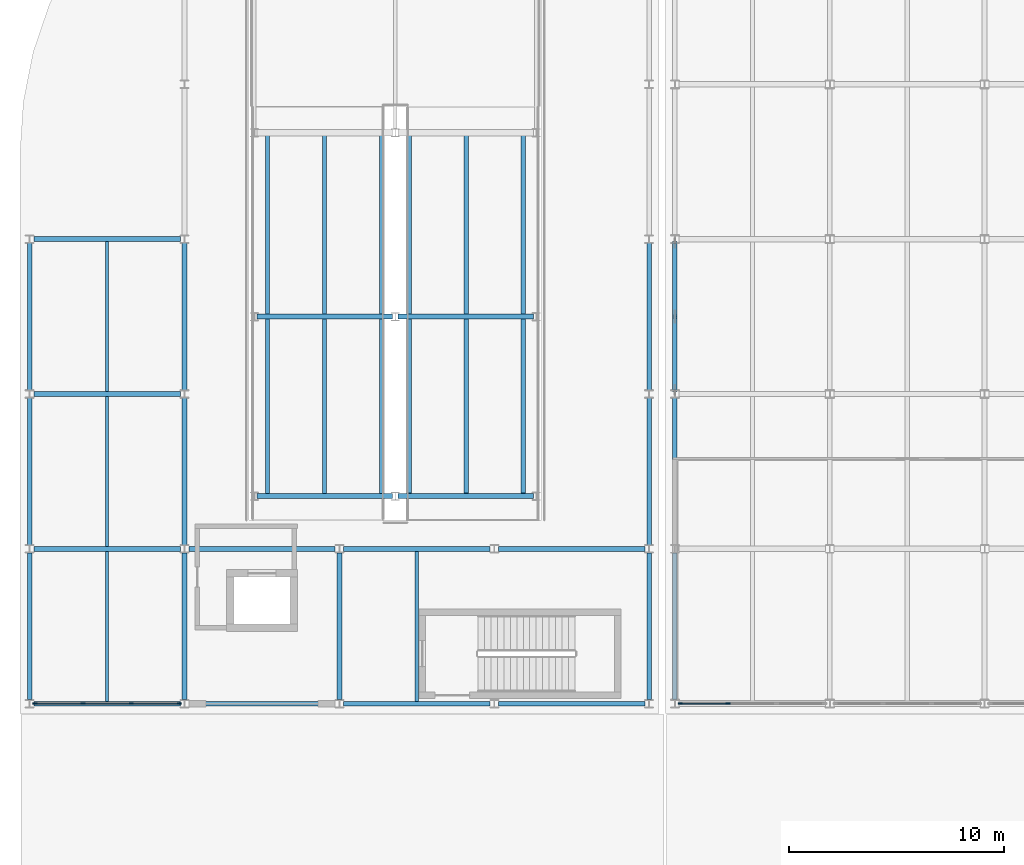
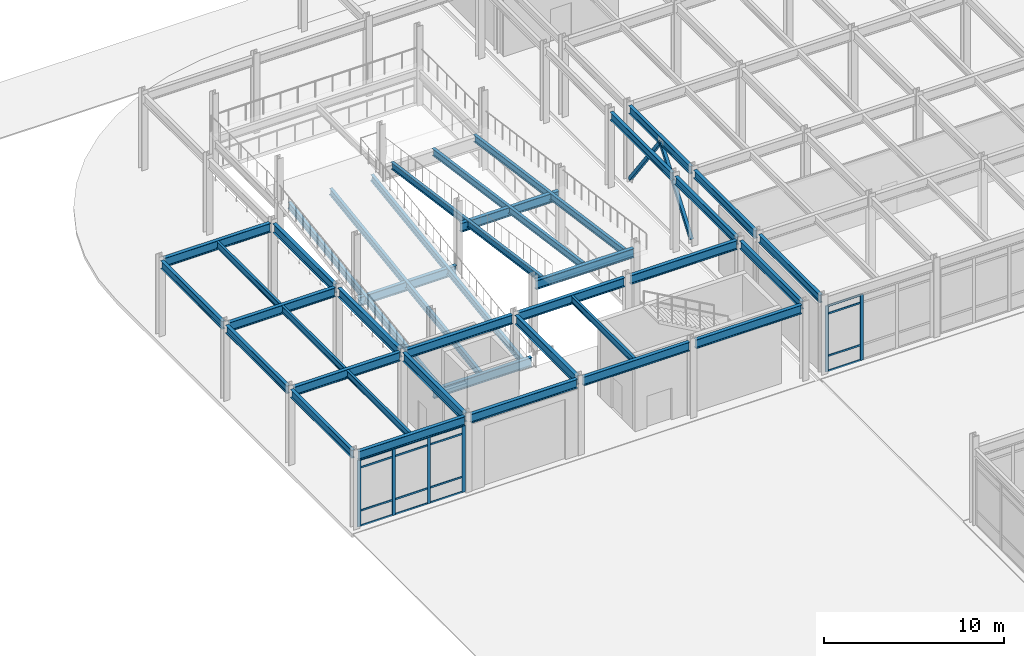
# One storey, part 28 of 104: 37 beams, 24 members, 2 elements without a shape of their own.
"""IFC4 building model written with IfcOpenShell, lengths in metres."""

from ifc_helpers import new_model, si_unit, direction, frame, origin, origin_2d, place, context, subcontext, project, spatial, rectangle, hollow_rectangle, i_section, extrude, material, material_profile, profile_set, type_object, element, aggregate, save


model = new_model("IFC4")

# Units and contexts
model_context = context("Model", 3, precision=1e-05, world=origin(), true_north=direction((0.0, 1.0)))
body_context = subcontext(model_context, "Body", "Model", "MODEL_VIEW")
ifc_project = project(units=[si_unit("LENGTHUNIT", "METRE"), si_unit("AREAUNIT", "SQUARE_METRE"), si_unit("VOLUMEUNIT", "CUBIC_METRE"), si_unit("PLANEANGLEUNIT", "RADIAN"), si_unit("MASSUNIT", "GRAM", prefix="KILO")], contexts=[model_context])

# Site, building, storey
site_placement = place(None, origin())
site = spatial("IfcSite", under=ifc_project, at=site_placement, CompositionType="ELEMENT")
building_placement = place(site_placement, origin())
building = spatial("IfcBuilding", under=site, at=building_placement, Name="Vaelcorin Mobility Hub", CompositionType="ELEMENT")
storey_placement = place(building_placement, origin())
storey = spatial("IfcBuildingStorey", under=building, at=storey_placement, Name="L00", CompositionType="ELEMENT", Elevation=0.0)

# Beams
ifc_material_1 = material(Name="Steel ASTM A992 Grade 50", Category="steel")
ifc_material_profile_1 = material_profile(ifc_material_1, i_section(OverallWidth=0.152099609375, OverallDepth=0.455078125, WebThickness=0.008056640625, FlangeThickness=0.01318359375, FilletRadius=0.012939453125, at=origin_2d()), Name="W18X40")
ifc_profile_set_1 = profile_set([ifc_material_profile_1], Name="Steel ASTM A992 Grade 50")
beam_type_1 = type_object("IfcBeamType", Name="BM-W18X40", PredefinedType="JOIST", material=ifc_profile_set_1)
for number, where, z_axis, x_axis, name in (
    (1, (9.60009765625, 76.912109375, 4.922119140625), (0.0, 1.0, 0.0), (-1.0, 0.0, 0.0), "L00 Beam V2W-L00-J-01-01-1"),
    (2, (9.60009765625, 84.112060546875, 4.922119140625), (0.0, 1.0, 0.0), (-1.0, 0.0, 0.0), "L00 Beam V2W-L00-J-01-02-1"),
):
    element("IfcBeam", number, at=place(storey_placement, frame(where, z_axis=z_axis, x_axis=x_axis)), inside=storey, type_object=beam_type_1, Name=name, PredefinedType="JOIST", context=body_context, shape_type="SweptSolid", body=[
        extrude(i_section(OverallWidth=0.152099609375, OverallDepth=0.455078125, WebThickness=0.008056640625, FlangeThickness=0.01318359375, FilletRadius=0.012939453125, at=origin_2d()), origin(), (0.0, 0.0, 1.0), 6.975830078125),
    ])
beam_1_placement = place(storey_placement, frame((9.60009765625, 91.31201171875, 4.922119140625), z_axis=(0.0, 1.0, 0.0), x_axis=(-1.0, 0.0, 0.0)))
element("IfcBeam", 3, at=beam_1_placement, inside=storey, type_object=beam_type_1, Name="L00 Beam V2W-L00-J-01-03-1", PredefinedType="JOIST", context=body_context, shape_type="SweptSolid", body=[
    extrude(i_section(OverallWidth=0.152099609375, OverallDepth=0.455078125, WebThickness=0.008056640625, FlangeThickness=0.01318359375, FilletRadius=0.012939453125, at=origin_2d()), origin(), (0.0, 0.0, 1.0), 6.97607421875),
])
beam_2_placement = place(storey_placement, frame((24.0, 76.912109375, 4.922119140625), z_axis=(0.0, 1.0, 0.0), x_axis=(-1.0, 0.0, 0.0)))
element("IfcBeam", 4, at=beam_2_placement, inside=storey, type_object=beam_type_1, Name="L00 Beam V2W-L00-J-03-01-1", PredefinedType="JOIST", context=body_context, shape_type="SweptSolid", body=[
    extrude(i_section(OverallWidth=0.152099609375, OverallDepth=0.455078125, WebThickness=0.008056640625, FlangeThickness=0.01318359375, FilletRadius=0.012939453125, at=origin_2d()), origin(), (0.0, 0.0, 1.0), 6.975830078125),
])
ifc_material_profile_2 = material_profile(ifc_material_1, i_section(OverallWidth=0.19091796875, OverallDepth=0.4599609375, WebThickness=0.010009765625, FlangeThickness=0.01611328125, FilletRadius=0.012939453125, at=origin_2d()), Name="W18X55")
ifc_profile_set_2 = profile_set([ifc_material_profile_2], Name="Steel ASTM A992 Grade 50")
beam_type_2 = type_object("IfcBeamType", Name="BM-W18X55", PredefinedType="JOIST", material=ifc_profile_set_2)
for number, where, z_axis, x_axis, name in (
    (5, (17.050048828125, 86.56005859375, -0.345947265625), (0.0, 0.990237863505, 0.139387853417), (-1.0, 0.0, 0.0), "Vehicle Ramp VR-1 L00 Flight 1 Stringer 1"),
    (6, (19.699951171875, 86.56005859375, -0.345947265625), (0.0, 0.990237863505, 0.139387853417), (-1.0, 0.0, 0.0), "Vehicle Ramp VR-1 L00 Flight 1 Stringer 2"),
    (7, (22.35009765625, 86.56005859375, -0.345947265625), (0.0, 0.990237863505, 0.139387853417), (-1.0, 0.0, 0.0), "Vehicle Ramp VR-1 L00 Flight 1 Stringer 3"),
    (8, (23.64990234375, 103.239990234375, 2.367919921875), (0.0, -0.990235862856, 0.139402065674), (1.0, 0.0, 0.0), "Vehicle Ramp VR-1 L00 Flight 2 Stringer 1"),
    (9, (26.300048828125, 103.239990234375, 2.367919921875), (0.0, -0.990235862856, 0.139402065674), (1.0, 0.0, 0.0), "Vehicle Ramp VR-1 L00 Flight 2 Stringer 2"),
    (10, (28.949951171875, 103.239990234375, 2.367919921875), (0.0, -0.990235862856, 0.139402065674), (1.0, 0.0, 0.0), "Vehicle Ramp VR-1 L00 Flight 2 Stringer 3"),
):
    element("IfcBeam", number, at=place(storey_placement, frame(where, z_axis=z_axis, x_axis=x_axis)), inside=storey, type_object=beam_type_2, Name=name, PredefinedType="JOIST", context=body_context, shape_type="SweptSolid", body=[
        extrude(i_section(OverallWidth=0.19091796875, OverallDepth=0.4599609375, WebThickness=0.010009765625, FlangeThickness=0.01611328125, FilletRadius=0.012939453125, at=origin_2d()), origin(), (0.0, 0.0, 1.0), 16.844482421875),
    ])
ifc_material_profile_3 = material_profile(ifc_material_1, i_section(OverallWidth=0.2099609375, OverallDepth=0.535888671875, WebThickness=0.010986328125, FlangeThickness=0.017333984375, FilletRadius=0.013916015625, at=origin_2d()), Name="W21X68")
ifc_profile_set_3 = profile_set([ifc_material_profile_3], Name="Steel ASTM A992 Grade 50")
beam_type_3 = type_object("IfcBeamType", Name="BM-W21X68", PredefinedType="SPANDREL", material=ifc_profile_set_3)
for number, where, z_axis, x_axis, name in (
    (11, (36.0, 76.9951171875, 4.89208984375), (0.0, 1.0, 0.0), (-1.0, 0.0, 0.0), "L00 Beam V4-L00-GY-01-01"),
    (12, (36.0, 84.200927734375, 4.89208984375), (0.0, 1.0, 0.0), (-1.0, 0.0, 0.0), "L00 Beam V4-L00-GY-01-02"),
):
    element("IfcBeam", number, at=place(storey_placement, frame(where, z_axis=z_axis, x_axis=x_axis)), inside=storey, type_object=beam_type_3, Name=name, PredefinedType="SPANDREL", context=body_context, shape_type="SweptSolid", body=[
        extrude(i_section(OverallWidth=0.2099609375, OverallDepth=0.535888671875, WebThickness=0.010986328125, FlangeThickness=0.017333984375, FilletRadius=0.013916015625, at=origin_2d()), origin(), (0.0, 0.0, 1.0), 6.803955078125),
    ])
beam_3_placement = place(storey_placement, frame((36.0, 91.39501953125, 4.89208984375), z_axis=(0.0, 1.0, 0.0), x_axis=(-1.0, 0.0, 0.0)))
element("IfcBeam", 13, at=beam_3_placement, inside=storey, type_object=beam_type_3, Name="L00 Beam V4-L00-GY-01-03", PredefinedType="SPANDREL", context=body_context, shape_type="SweptSolid", body=[
    extrude(i_section(OverallWidth=0.2099609375, OverallDepth=0.535888671875, WebThickness=0.010986328125, FlangeThickness=0.017333984375, FilletRadius=0.013916015625, at=origin_2d()), origin(), (0.0, 0.0, 1.0), 6.81005859375),
])
for number, where, z_axis, x_axis, name in (
    (14, (6.0, 76.988037109375, 4.882080078125), (0.0, 1.0, 0.0), (-1.0, 0.0, 0.0), "L00 Beam V2W-L00-GY-01-01"),
    (15, (6.0, 84.18798828125, 4.882080078125), (0.0, 1.0, 0.0), (-1.0, 0.0, 0.0), "L00 Beam V2W-L00-GY-01-02"),
):
    element("IfcBeam", number, at=place(storey_placement, frame(where, z_axis=z_axis, x_axis=x_axis)), inside=storey, type_object=beam_type_3, Name=name, PredefinedType="SPANDREL", context=body_context, shape_type="SweptSolid", body=[
        extrude(i_section(OverallWidth=0.2099609375, OverallDepth=0.535888671875, WebThickness=0.010986328125, FlangeThickness=0.017333984375, FilletRadius=0.013916015625, at=origin_2d()), origin(), (0.0, 0.0, 1.0), 6.823974609375),
    ])
beam_4_placement = place(storey_placement, frame((6.0, 91.388916015625, 4.882080078125), z_axis=(0.0, 1.0, 0.0), x_axis=(-1.0, 0.0, 0.0)))
element("IfcBeam", 16, at=beam_4_placement, inside=storey, type_object=beam_type_3, Name="L00 Beam V2W-L00-GY-01-03", PredefinedType="SPANDREL", context=body_context, shape_type="SweptSolid", body=[
    extrude(i_section(OverallWidth=0.2099609375, OverallDepth=0.535888671875, WebThickness=0.010986328125, FlangeThickness=0.017333984375, FilletRadius=0.013916015625, at=origin_2d()), origin(), (0.0, 0.0, 1.0), 6.822998046875),
])
for number, where, z_axis, x_axis, name in (
    (17, (34.800048828125, 76.988037109375, 4.882080078125), (0.0, 1.0, 0.0), (-1.0, 0.0, 0.0), "L00 Beam V2W-L00-GY-05-01"),
    (18, (34.800048828125, 84.18798828125, 4.882080078125), (0.0, 1.0, 0.0), (-1.0, 0.0, 0.0), "L00 Beam V2W-L00-GY-05-02"),
):
    element("IfcBeam", number, at=place(storey_placement, frame(where, z_axis=z_axis, x_axis=x_axis)), inside=storey, type_object=beam_type_3, Name=name, PredefinedType="SPANDREL", context=body_context, shape_type="SweptSolid", body=[
        extrude(i_section(OverallWidth=0.2099609375, OverallDepth=0.535888671875, WebThickness=0.010986328125, FlangeThickness=0.017333984375, FilletRadius=0.013916015625, at=origin_2d()), origin(), (0.0, 0.0, 1.0), 6.823974609375),
    ])
beam_5_placement = place(storey_placement, frame((34.800048828125, 91.388916015625, 4.882080078125), z_axis=(0.0, 1.0, 0.0), x_axis=(-1.0, 0.0, 0.0)))
element("IfcBeam", 19, at=beam_5_placement, inside=storey, type_object=beam_type_3, Name="L00 Beam V2W-L00-GY-05-03", PredefinedType="SPANDREL", context=body_context, shape_type="SweptSolid", body=[
    extrude(i_section(OverallWidth=0.2099609375, OverallDepth=0.535888671875, WebThickness=0.010986328125, FlangeThickness=0.017333984375, FilletRadius=0.013916015625, at=origin_2d()), origin(), (0.0, 0.0, 1.0), 6.822998046875),
])
ifc_material_profile_4 = material_profile(ifc_material_1, i_section(OverallWidth=0.22802734375, OverallDepth=0.60205078125, WebThickness=0.010498046875, FlangeThickness=0.014892578125, FilletRadius=0.014892578125, at=origin_2d()), Name="W24X68")
ifc_profile_set_4 = profile_set([ifc_material_profile_4], Name="Steel ASTM A992 Grade 50")
beam_type_4 = type_object("IfcBeamType", Name="BM-W24X68", PredefinedType="SPANDREL", material=ifc_profile_set_4)
beam_6_placement = place(storey_placement, frame((6.196044921875, 76.800048828125, 4.84912109375), z_axis=(1.0, 0.0, 0.0), x_axis=(0.0, 1.0, 0.0)))
element("IfcBeam", 20, at=beam_6_placement, inside=storey, type_object=beam_type_4, Name="L00 Beam V2W-L00-GX-01-01", PredefinedType="SPANDREL", context=body_context, shape_type="SweptSolid", body=[
    extrude(i_section(OverallWidth=0.22802734375, OverallDepth=0.60205078125, WebThickness=0.010498046875, FlangeThickness=0.014892578125, FilletRadius=0.014892578125, at=origin_2d()), origin(), (0.0, 0.0, 1.0), 6.807861328125),
])
for number, where, z_axis, x_axis, name in (
    (21, (13.39599609375, 76.800048828125, 4.84912109375), (1.0, 0.0, 0.0), (0.0, 1.0, 0.0), "L00 Beam V2W-L00-GX-01-02"),
    (22, (20.595947265625, 76.800048828125, 4.84912109375), (1.0, 0.0, 0.0), (0.0, 1.0, 0.0), "L00 Beam V2W-L00-GX-01-03"),
    (23, (27.7958984375, 76.800048828125, 4.84912109375), (1.0, 0.0, 0.0), (0.0, 1.0, 0.0), "L00 Beam V2W-L00-GX-01-04"),
):
    element("IfcBeam", number, at=place(storey_placement, frame(where, z_axis=z_axis, x_axis=x_axis)), inside=storey, type_object=beam_type_4, Name=name, PredefinedType="SPANDREL", context=body_context, shape_type="SweptSolid", body=[
        extrude(i_section(OverallWidth=0.22802734375, OverallDepth=0.60205078125, WebThickness=0.010498046875, FlangeThickness=0.014892578125, FilletRadius=0.014892578125, at=origin_2d()), origin(), (0.0, 0.0, 1.0), 6.80810546875),
    ])
ifc_material_profile_5 = material_profile(ifc_material_1, i_section(OverallWidth=0.22900390625, OverallDepth=0.612060546875, WebThickness=0.011962890625, FlangeThickness=0.01953125, FilletRadius=0.014892578125, at=origin_2d()), Name="W24X84")
ifc_profile_set_5 = profile_set([ifc_material_profile_5], Name="Steel ASTM A992 Grade 50")
beam_type_5 = type_object("IfcBeamType", Name="BM-W24X84", PredefinedType="BEAM", material=ifc_profile_set_5)
beam_7_placement = place(storey_placement, frame((6.196044921875, 84.0, 4.843994140625), z_axis=(1.0, 0.0, 0.0), x_axis=(0.0, 1.0, 0.0)))
element("IfcBeam", 24, at=beam_7_placement, inside=storey, type_object=beam_type_5, Name="L00 Beam V2W-L00-GX-02-01", PredefinedType="BEAM", context=body_context, shape_type="SweptSolid", body=[
    extrude(i_section(OverallWidth=0.22900390625, OverallDepth=0.612060546875, WebThickness=0.011962890625, FlangeThickness=0.01953125, FilletRadius=0.014892578125, at=origin_2d()), origin(), (0.0, 0.0, 1.0), 6.807861328125),
])
for number, where, z_axis, x_axis, name in (
    (25, (13.39599609375, 84.0, 4.843994140625), (1.0, 0.0, 0.0), (0.0, 1.0, 0.0), "L00 Beam V2W-L00-GX-02-02"),
    (26, (20.595947265625, 84.0, 4.843994140625), (1.0, 0.0, 0.0), (0.0, 1.0, 0.0), "L00 Beam V2W-L00-GX-02-03"),
    (27, (27.7958984375, 84.0, 4.843994140625), (1.0, 0.0, 0.0), (0.0, 1.0, 0.0), "L00 Beam V2W-L00-GX-02-04"),
):
    element("IfcBeam", number, at=place(storey_placement, frame(where, z_axis=z_axis, x_axis=x_axis)), inside=storey, type_object=beam_type_5, Name=name, PredefinedType="BEAM", context=body_context, shape_type="SweptSolid", body=[
        extrude(i_section(OverallWidth=0.22900390625, OverallDepth=0.612060546875, WebThickness=0.011962890625, FlangeThickness=0.01953125, FilletRadius=0.014892578125, at=origin_2d()), origin(), (0.0, 0.0, 1.0), 6.80810546875),
    ])
for number, where, z_axis, x_axis, name in (
    (28, (6.196044921875, 91.199951171875, 4.843994140625), (1.0, 0.0, 0.0), (0.0, 1.0, 0.0), "L00 Beam V2W-L00-GX-03-01"),
    (29, (6.196044921875, 98.39990234375, 4.843994140625), (1.0, 0.0, 0.0), (0.0, 1.0, 0.0), "L00 Beam V2W-L00-GX-04-01"),
):
    element("IfcBeam", number, at=place(storey_placement, frame(where, z_axis=z_axis, x_axis=x_axis)), inside=storey, type_object=beam_type_5, Name=name, PredefinedType="BEAM", context=body_context, shape_type="SweptSolid", body=[
        extrude(i_section(OverallWidth=0.22900390625, OverallDepth=0.612060546875, WebThickness=0.011962890625, FlangeThickness=0.01953125, FilletRadius=0.014892578125, at=origin_2d()), origin(), (0.0, 0.0, 1.0), 6.807861328125),
    ])
for number, where, z_axis, x_axis, name in (
    (30, (13.199951171875, 76.988037109375, 4.843994140625), (0.0, 1.0, 0.0), (-1.0, 0.0, 0.0), "L00 Beam V2W-L00-GY-02-01"),
    (31, (13.199951171875, 84.18798828125, 4.843994140625), (0.0, 1.0, 0.0), (-1.0, 0.0, 0.0), "L00 Beam V2W-L00-GY-02-02"),
):
    element("IfcBeam", number, at=place(storey_placement, frame(where, z_axis=z_axis, x_axis=x_axis)), inside=storey, type_object=beam_type_5, Name=name, PredefinedType="BEAM", context=body_context, shape_type="SweptSolid", body=[
        extrude(i_section(OverallWidth=0.22900390625, OverallDepth=0.612060546875, WebThickness=0.011962890625, FlangeThickness=0.01953125, FilletRadius=0.014892578125, at=origin_2d()), origin(), (0.0, 0.0, 1.0), 6.823974609375),
    ])
beam_8_placement = place(storey_placement, frame((13.199951171875, 91.388916015625, 4.843994140625), z_axis=(0.0, 1.0, 0.0), x_axis=(-1.0, 0.0, 0.0)))
element("IfcBeam", 32, at=beam_8_placement, inside=storey, type_object=beam_type_5, Name="L00 Beam V2W-L00-GY-02-03", PredefinedType="BEAM", context=body_context, shape_type="SweptSolid", body=[
    extrude(i_section(OverallWidth=0.22900390625, OverallDepth=0.612060546875, WebThickness=0.011962890625, FlangeThickness=0.01953125, FilletRadius=0.014892578125, at=origin_2d()), origin(), (0.0, 0.0, 1.0), 6.822998046875),
])
beam_9_placement = place(storey_placement, frame((20.39990234375, 76.988037109375, 4.843994140625), z_axis=(0.0, 1.0, 0.0), x_axis=(-1.0, 0.0, 0.0)))
element("IfcBeam", 33, at=beam_9_placement, inside=storey, type_object=beam_type_5, Name="L00 Beam V2W-L00-GY-03-01", PredefinedType="BEAM", context=body_context, shape_type="SweptSolid", body=[
    extrude(i_section(OverallWidth=0.22900390625, OverallDepth=0.612060546875, WebThickness=0.011962890625, FlangeThickness=0.01953125, FilletRadius=0.014892578125, at=origin_2d()), origin(), (0.0, 0.0, 1.0), 6.823974609375),
])
for number, where, z_axis, x_axis, name in (
    (34, (16.580078125, 86.449951171875, -0.45703125), (1.0, 0.0, 0.0), (0.0, 1.0, 0.0), "Vehicle Ramp VR-1 L00 Bent Girder F1S"),
    (35, (16.580078125, 94.800048828125, 0.718017578125), (1.0, 0.0, 0.0), (0.0, 1.0, 0.0), "Vehicle Ramp VR-1 L00 Bent Girder F1M"),
    (36, (23.1298828125, 94.800048828125, 3.4599609375), (1.0, 0.0, 0.0), (0.0, 1.0, 0.0), "Vehicle Ramp VR-1 L00 Bent Girder F2M"),
    (37, (23.1298828125, 86.449951171875, 4.635986328125), (1.0, 0.0, 0.0), (0.0, 1.0, 0.0), "Vehicle Ramp VR-1 L00 Bent Girder F2S"),
):
    element("IfcBeam", number, at=place(storey_placement, frame(where, z_axis=z_axis, x_axis=x_axis)), inside=storey, type_object=beam_type_5, Name=name, PredefinedType="BEAM", context=body_context, shape_type="SweptSolid", body=[
        extrude(i_section(OverallWidth=0.22900390625, OverallDepth=0.612060546875, WebThickness=0.011962890625, FlangeThickness=0.01953125, FilletRadius=0.014892578125, at=origin_2d()), origin(), (0.0, 0.0, 1.0), 6.2900390625),
    ])

# Members
ifc_material_2 = material(Name="Steel ASTM A500 Grade C", Category="steel")
ifc_material_profile_6 = material_profile(ifc_material_2, hollow_rectangle(XDim=0.203125, YDim=0.203125, WallThickness=0.01171875, at=origin_2d()), Name="HSS8X8X0.500")
ifc_profile_set_6 = profile_set([ifc_material_profile_6], Name="Steel ASTM A500 Grade C")
member_type_1 = type_object("IfcMemberType", Name="BR-SCBF-8X8", PredefinedType="BRACE", material=ifc_profile_set_6)
member_1_placement = place(storey_placement, frame((36.0, 91.389892578125, 0.179931640625), z_axis=(0.0, 0.598045829922, 0.801461905091), x_axis=(-1.0, 0.0, 0.0)))
element("IfcMember", 38, at=member_1_placement, inside=storey, type_object=member_type_1, Name="SCBF Chevron Brace V4-BY1-L00-A", PredefinedType="BRACE", context=body_context, shape_type="SweptSolid", body=[
    extrude(hollow_rectangle(XDim=0.203125, YDim=0.203125, WallThickness=0.01171875, at=origin_2d()), origin(), (0.0, 0.0, 1.0), 5.7021484375),
])
member_2_placement = place(storey_placement, frame((36.0, 98.2099609375, 0.179931640625), z_axis=(0.0, -0.598018326756, 0.801482427046), x_axis=(1.0, 0.0, 0.0)))
element("IfcMember", 39, at=member_2_placement, inside=storey, type_object=member_type_1, Name="SCBF Chevron Brace V4-BY1-L00-B", PredefinedType="BRACE", context=body_context, shape_type="SweptSolid", body=[
    extrude(hollow_rectangle(XDim=0.203125, YDim=0.203125, WallThickness=0.01171875, at=origin_2d()), origin(), (0.0, 0.0, 1.0), 5.701904296875),
])

# Curtain wall, members
ifc_material_3 = material(Name="Anodised aluminium 6063-T6", Category="aluminium")
curtain_wall_type = type_object("IfcCurtainWallType", Name="CW-MSC-A", PredefinedType="NOTDEFINED", material=ifc_material_3)
curtain_wall_1_placement = place(storey_placement, origin())
curtain_wall_1 = element("IfcCurtainWall", 40, at=curtain_wall_1_placement, inside=storey, type_object=curtain_wall_type, Name="L00 Curtain Wall CW-V4-L00-S-01", PredefinedType="NOTDEFINED")
ifc_material_profile_7 = material_profile(ifc_material_3, rectangle(XDim=0.070068359375, YDim=0.199951171875, at=origin_2d()), Name="ALU-M70X200")
ifc_profile_set_7 = profile_set([ifc_material_profile_7], Name="Anodised aluminium 6063-T6")
member_type_2 = type_object("IfcMemberType", Name="CW-MULL-200", PredefinedType="MULLION", material=ifc_profile_set_7)
member_3_placement = place(storey_placement, frame((38.473388671875, 76.800048828125, 0.0), z_axis=(0.0, 0.0, 1.0), x_axis=(0.0, -1.0, 0.0)))
member_3 = element("IfcMember", 41, at=member_3_placement, type_object=member_type_2, Name="CW3 mullion 3", PredefinedType="MULLION", context=body_context, shape_type="SweptSolid", body=[
    extrude(rectangle(XDim=0.070068359375, YDim=0.199951171875, at=origin_2d()), origin(), (0.0, 0.0, 1.0), 4.4619140625),
])
member_4_placement = place(storey_placement, frame((36.25, 76.800048828125, 0.0), z_axis=(0.0, 0.0, 1.0), x_axis=(0.0, -1.0, 0.0)))
member_4 = element("IfcMember", 42, at=member_4_placement, type_object=member_type_2, Name="CW3 mullion 4", PredefinedType="MULLION", context=body_context, shape_type="SweptSolid", body=[
    extrude(rectangle(XDim=0.070068359375, YDim=0.199951171875, at=origin_2d()), origin(), (0.0, 0.0, 1.0), 4.4619140625),
])

curtain_wall_2_placement = place(storey_placement, origin())
curtain_wall_2 = element("IfcCurtainWall", 43, at=curtain_wall_2_placement, inside=storey, type_object=curtain_wall_type, Name="L00 Curtain Wall CW-V2W-L00-S-01", PredefinedType="NOTDEFINED")
member_5_placement = place(storey_placement, frame((12.949951171875, 76.800048828125, 0.0), z_axis=(0.0, 0.0, 1.0), x_axis=(0.0, -1.0, 0.0)))
member_5 = element("IfcMember", 44, at=member_5_placement, type_object=member_type_2, Name="CW3 mullion 1", PredefinedType="MULLION", context=body_context, shape_type="SweptSolid", body=[
    extrude(rectangle(XDim=0.070068359375, YDim=0.199951171875, at=origin_2d()), origin(), (0.0, 0.0, 1.0), 4.52294921875),
])
member_6_placement = place(storey_placement, frame((10.7265625, 76.800048828125, 0.0), z_axis=(0.0, 0.0, 1.0), x_axis=(0.0, -1.0, 0.0)))
member_6 = element("IfcMember", 45, at=member_6_placement, type_object=member_type_2, Name="CW3 mullion 2", PredefinedType="MULLION", context=body_context, shape_type="SweptSolid", body=[
    extrude(rectangle(XDim=0.070068359375, YDim=0.199951171875, at=origin_2d()), origin(), (0.0, 0.0, 1.0), 4.52294921875),
])
member_7_placement = place(storey_placement, frame((8.473388671875, 76.800048828125, 0.0), z_axis=(0.0, 0.0, 1.0), x_axis=(0.0, -1.0, 0.0)))
member_7 = element("IfcMember", 46, at=member_7_placement, type_object=member_type_2, Name="CW3 mullion 3", PredefinedType="MULLION", context=body_context, shape_type="SweptSolid", body=[
    extrude(rectangle(XDim=0.070068359375, YDim=0.199951171875, at=origin_2d()), origin(), (0.0, 0.0, 1.0), 4.52294921875),
])
member_8_placement = place(storey_placement, frame((6.25, 76.800048828125, 0.0), z_axis=(0.0, 0.0, 1.0), x_axis=(0.0, -1.0, 0.0)))
member_8 = element("IfcMember", 47, at=member_8_placement, type_object=member_type_2, Name="CW3 mullion 4", PredefinedType="MULLION", context=body_context, shape_type="SweptSolid", body=[
    extrude(rectangle(XDim=0.070068359375, YDim=0.199951171875, at=origin_2d()), origin(), (0.0, 0.0, 1.0), 4.52294921875),
])

# Member
ifc_material_profile_8 = material_profile(ifc_material_3, rectangle(XDim=0.06005859375, YDim=0.1201171875, at=origin_2d()), Name="ALU-T60X120")
ifc_profile_set_8 = profile_set([ifc_material_profile_8], Name="Anodised aluminium 6063-T6")
member_type_3 = type_object("IfcMemberType", Name="CW-TRAN-140", PredefinedType="USERDEFINED", material=ifc_profile_set_8)
member_9_placement = place(storey_placement, frame((38.443359375, 76.800048828125, 0.030029296875), z_axis=(-1.0, 0.0, 0.0), x_axis=(0.0, -1.0, 0.0)))
member_9 = element("IfcMember", 48, at=member_9_placement, type_object=member_type_3, Name="CW3 transom 3.1", ObjectType="TRANSOM", PredefinedType="USERDEFINED", context=body_context, shape_type="SweptSolid", body=[
    extrude(rectangle(XDim=0.06005859375, YDim=0.1201171875, at=origin_2d()), origin(), (0.0, 0.0, 1.0), 2.163330078125),
])

member_10_placement = place(storey_placement, frame((38.443359375, 76.800048828125, 1.050048828125), z_axis=(-1.0, 0.0, 0.0), x_axis=(0.0, -1.0, 0.0)))
member_10 = element("IfcMember", 49, at=member_10_placement, type_object=member_type_3, Name="CW3 transom 3.2", ObjectType="TRANSOM", PredefinedType="USERDEFINED", context=body_context, shape_type="SweptSolid", body=[
    extrude(rectangle(XDim=0.06005859375, YDim=0.1201171875, at=origin_2d()), origin(), (0.0, 0.0, 1.0), 2.163330078125),
])

member_11_placement = place(storey_placement, frame((38.443359375, 76.800048828125, 3.912109375), z_axis=(-1.0, 0.0, 0.0), x_axis=(0.0, -1.0, 0.0)))
member_11 = element("IfcMember", 50, at=member_11_placement, type_object=member_type_3, Name="CW3 transom 3.3", ObjectType="TRANSOM", PredefinedType="USERDEFINED", context=body_context, shape_type="SweptSolid", body=[
    extrude(rectangle(XDim=0.06005859375, YDim=0.1201171875, at=origin_2d()), origin(), (0.0, 0.0, 1.0), 2.163330078125),
])

member_12_placement = place(storey_placement, frame((38.443359375, 76.800048828125, 4.431884765625), z_axis=(-1.0, 0.0, 0.0), x_axis=(0.0, -1.0, 0.0)))
member_12 = element("IfcMember", 51, at=member_12_placement, type_object=member_type_3, Name="CW3 transom 3.4", ObjectType="TRANSOM", PredefinedType="USERDEFINED", context=body_context, shape_type="SweptSolid", body=[
    extrude(rectangle(XDim=0.06005859375, YDim=0.1201171875, at=origin_2d()), origin(), (0.0, 0.0, 1.0), 2.163330078125),
])

aggregate(curtain_wall_1, [member_3, member_4, member_9, member_10, member_11, member_12])

member_13_placement = place(storey_placement, frame((12.919921875, 76.800048828125, 0.030029296875), z_axis=(-1.0, 0.0, 0.0), x_axis=(0.0, -1.0, 0.0)))
member_13 = element("IfcMember", 52, at=member_13_placement, type_object=member_type_3, Name="CW3 transom 1.1", ObjectType="TRANSOM", PredefinedType="USERDEFINED", context=body_context, shape_type="SweptSolid", body=[
    extrude(rectangle(XDim=0.06005859375, YDim=0.1201171875, at=origin_2d()), origin(), (0.0, 0.0, 1.0), 2.163330078125),
])

member_14_placement = place(storey_placement, frame((12.919921875, 76.800048828125, 1.050048828125), z_axis=(-1.0, 0.0, 0.0), x_axis=(0.0, -1.0, 0.0)))
member_14 = element("IfcMember", 53, at=member_14_placement, type_object=member_type_3, Name="CW3 transom 1.2", ObjectType="TRANSOM", PredefinedType="USERDEFINED", context=body_context, shape_type="SweptSolid", body=[
    extrude(rectangle(XDim=0.06005859375, YDim=0.1201171875, at=origin_2d()), origin(), (0.0, 0.0, 1.0), 2.163330078125),
])

member_15_placement = place(storey_placement, frame((12.919921875, 76.800048828125, 3.972900390625), z_axis=(-1.0, 0.0, 0.0), x_axis=(0.0, -1.0, 0.0)))
member_15 = element("IfcMember", 54, at=member_15_placement, type_object=member_type_3, Name="CW3 transom 1.3", ObjectType="TRANSOM", PredefinedType="USERDEFINED", context=body_context, shape_type="SweptSolid", body=[
    extrude(rectangle(XDim=0.06005859375, YDim=0.1201171875, at=origin_2d()), origin(), (0.0, 0.0, 1.0), 2.163330078125),
])

member_16_placement = place(storey_placement, frame((12.919921875, 76.800048828125, 4.492919921875), z_axis=(-1.0, 0.0, 0.0), x_axis=(0.0, -1.0, 0.0)))
member_16 = element("IfcMember", 55, at=member_16_placement, type_object=member_type_3, Name="CW3 transom 1.4", ObjectType="TRANSOM", PredefinedType="USERDEFINED", context=body_context, shape_type="SweptSolid", body=[
    extrude(rectangle(XDim=0.06005859375, YDim=0.1201171875, at=origin_2d()), origin(), (0.0, 0.0, 1.0), 2.163330078125),
])

member_17_placement = place(storey_placement, frame((10.69677734375, 76.800048828125, 0.030029296875), z_axis=(-1.0, 0.0, 0.0), x_axis=(0.0, -1.0, 0.0)))
member_17 = element("IfcMember", 56, at=member_17_placement, type_object=member_type_3, Name="CW3 transom 2.1", ObjectType="TRANSOM", PredefinedType="USERDEFINED", context=body_context, shape_type="SweptSolid", body=[
    extrude(rectangle(XDim=0.06005859375, YDim=0.1201171875, at=origin_2d()), origin(), (0.0, 0.0, 1.0), 2.193359375),
])

member_18_placement = place(storey_placement, frame((10.69677734375, 76.800048828125, 1.050048828125), z_axis=(-1.0, 0.0, 0.0), x_axis=(0.0, -1.0, 0.0)))
member_18 = element("IfcMember", 57, at=member_18_placement, type_object=member_type_3, Name="CW3 transom 2.2", ObjectType="TRANSOM", PredefinedType="USERDEFINED", context=body_context, shape_type="SweptSolid", body=[
    extrude(rectangle(XDim=0.06005859375, YDim=0.1201171875, at=origin_2d()), origin(), (0.0, 0.0, 1.0), 2.193359375),
])

member_19_placement = place(storey_placement, frame((10.69677734375, 76.800048828125, 3.972900390625), z_axis=(-1.0, 0.0, 0.0), x_axis=(0.0, -1.0, 0.0)))
member_19 = element("IfcMember", 58, at=member_19_placement, type_object=member_type_3, Name="CW3 transom 2.3", ObjectType="TRANSOM", PredefinedType="USERDEFINED", context=body_context, shape_type="SweptSolid", body=[
    extrude(rectangle(XDim=0.06005859375, YDim=0.1201171875, at=origin_2d()), origin(), (0.0, 0.0, 1.0), 2.193359375),
])

member_20_placement = place(storey_placement, frame((10.69677734375, 76.800048828125, 4.492919921875), z_axis=(-1.0, 0.0, 0.0), x_axis=(0.0, -1.0, 0.0)))
member_20 = element("IfcMember", 59, at=member_20_placement, type_object=member_type_3, Name="CW3 transom 2.4", ObjectType="TRANSOM", PredefinedType="USERDEFINED", context=body_context, shape_type="SweptSolid", body=[
    extrude(rectangle(XDim=0.06005859375, YDim=0.1201171875, at=origin_2d()), origin(), (0.0, 0.0, 1.0), 2.193359375),
])

member_21_placement = place(storey_placement, frame((8.443359375, 76.800048828125, 0.030029296875), z_axis=(-1.0, 0.0, 0.0), x_axis=(0.0, -1.0, 0.0)))
member_21 = element("IfcMember", 60, at=member_21_placement, type_object=member_type_3, Name="CW3 transom 3.1", ObjectType="TRANSOM", PredefinedType="USERDEFINED", context=body_context, shape_type="SweptSolid", body=[
    extrude(rectangle(XDim=0.06005859375, YDim=0.1201171875, at=origin_2d()), origin(), (0.0, 0.0, 1.0), 2.163330078125),
])

member_22_placement = place(storey_placement, frame((8.443359375, 76.800048828125, 1.050048828125), z_axis=(-1.0, 0.0, 0.0), x_axis=(0.0, -1.0, 0.0)))
member_22 = element("IfcMember", 61, at=member_22_placement, type_object=member_type_3, Name="CW3 transom 3.2", ObjectType="TRANSOM", PredefinedType="USERDEFINED", context=body_context, shape_type="SweptSolid", body=[
    extrude(rectangle(XDim=0.06005859375, YDim=0.1201171875, at=origin_2d()), origin(), (0.0, 0.0, 1.0), 2.163330078125),
])

member_23_placement = place(storey_placement, frame((8.443359375, 76.800048828125, 3.972900390625), z_axis=(-1.0, 0.0, 0.0), x_axis=(0.0, -1.0, 0.0)))
member_23 = element("IfcMember", 62, at=member_23_placement, type_object=member_type_3, Name="CW3 transom 3.3", ObjectType="TRANSOM", PredefinedType="USERDEFINED", context=body_context, shape_type="SweptSolid", body=[
    extrude(rectangle(XDim=0.06005859375, YDim=0.1201171875, at=origin_2d()), origin(), (0.0, 0.0, 1.0), 2.163330078125),
])

member_24_placement = place(storey_placement, frame((8.443359375, 76.800048828125, 4.492919921875), z_axis=(-1.0, 0.0, 0.0), x_axis=(0.0, -1.0, 0.0)))
member_24 = element("IfcMember", 63, at=member_24_placement, type_object=member_type_3, Name="CW3 transom 3.4", ObjectType="TRANSOM", PredefinedType="USERDEFINED", context=body_context, shape_type="SweptSolid", body=[
    extrude(rectangle(XDim=0.06005859375, YDim=0.1201171875, at=origin_2d()), origin(), (0.0, 0.0, 1.0), 2.163330078125),
])

aggregate(curtain_wall_2, [member_5, member_6, member_7, member_8, member_13, member_14, member_15, member_16, member_17, member_18, member_19, member_20, member_21, member_22, member_23, member_24])

save(model, "model.ifc")
